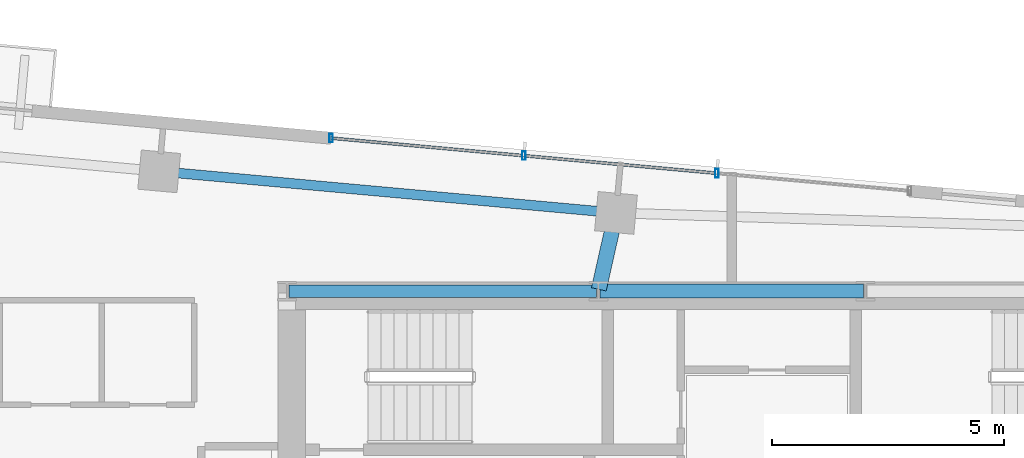
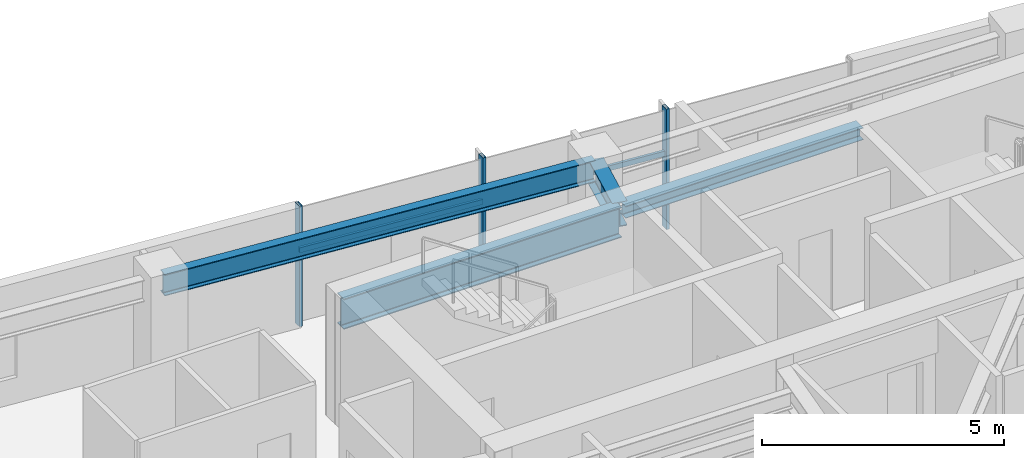
# One storey, part 10 of 22: 5 members, 4 beams, 1 element without a shape of its own.
"""IFC4 building model written with IfcOpenShell, lengths in metres."""

from ifc_helpers import new_model, si_unit, direction, frame, origin, origin_2d, place, context, subcontext, project, spatial, hollow_rectangle, i_section, extrude, source, transform, mapped, material, material_profile, profile_set, type_object, type_shapes, element, aggregate, save


model = new_model("IFC4")

# Units and contexts
model_context = context("Model", 3, precision=1e-05, world=origin(), true_north=direction((0.0, 1.0)))
body_context = subcontext(model_context, "Body", "Model", "MODEL_VIEW")
ifc_project = project(units=[si_unit("LENGTHUNIT", "METRE"), si_unit("AREAUNIT", "SQUARE_METRE"), si_unit("VOLUMEUNIT", "CUBIC_METRE"), si_unit("PLANEANGLEUNIT", "RADIAN"), si_unit("MASSUNIT", "GRAM", prefix="KILO")], contexts=[model_context])

# Site, building, storey
site_placement = place(None, origin())
site = spatial("IfcSite", under=ifc_project, at=site_placement, CompositionType="ELEMENT")
building_placement = place(site_placement, origin())
building = spatial("IfcBuilding", under=site, at=building_placement, Name="Astriad Promenade Condominiums", CompositionType="ELEMENT")
storey_placement = place(building_placement, frame((0.0, 0.0, 252.89990234375)))
storey = spatial("IfcBuildingStorey", under=building, at=storey_placement, Name="L73", CompositionType="ELEMENT", Elevation=252.89990234375)

# Beams
ifc_material_1 = material(Name="Steel ASTM A992 Grade 50", Category="steel")
ifc_material_profile_1 = material_profile(ifc_material_1, i_section(OverallWidth=0.267822265625, OverallDepth=0.76953125, WebThickness=0.015625, FlangeThickness=0.025390625, FilletRadius=0.021484375, at=origin_2d()), Name="W30X132")
ifc_profile_set_1 = profile_set([ifc_material_profile_1], Name="Steel ASTM A992 Grade 50")
beam_type_1 = type_object("IfcBeamType", Name="STEEL FLOOR GIRDER W30X132", PredefinedType="BEAM", material=ifc_profile_set_1)
shared_shape_1 = source(origin(), body_context, "Body", "SweptSolid", [
    extrude(i_section(OverallWidth=0.267822265625, OverallDepth=0.76953125, WebThickness=0.015625, FlangeThickness=0.025390625, FilletRadius=0.021484375, at=origin_2d()), origin(), (0.0, 0.0, 1.0), 6.64013671875),
])
type_shapes(beam_type_1, [shared_shape_1])
beam_1_placement = place(storey_placement, frame((26.43994140625, 24.0, 2.6552734375), z_axis=(1.0, 0.0, 0.0), x_axis=(0.0, 1.0, 0.0)))
element("IfcBeam", 1, at=beam_1_placement, inside=storey, type_object=beam_type_1, Name="Core Ring Beam CG-N1-L73", PredefinedType="BEAM", context=body_context, shape_type="MappedRepresentation", body=[
    mapped(shared_shape_1, transform((0.0, 0.0, 0.0), scale=1.0)),
])
ifc_material_profile_2 = material_profile(ifc_material_1, i_section(OverallWidth=0.3046875, OverallDepth=0.307861328125, WebThickness=0.010009765625, FlangeThickness=0.015380859375, FilletRadius=0.01513671875, at=origin_2d()), Name="W12X65")
ifc_profile_set_2 = profile_set([ifc_material_profile_2], Name="Steel ASTM A992 Grade 50")
beam_type_2 = type_object("IfcBeamType", Name="STEEL OPENING LINTEL W12X65", PredefinedType="LINTEL", material=ifc_profile_set_2)
shared_shape_2 = source(origin(), body_context, "Body", "SweptSolid", [
    extrude(i_section(OverallWidth=0.3046875, OverallDepth=0.307861328125, WebThickness=0.010009765625, FlangeThickness=0.015380859375, FilletRadius=0.01513671875, at=origin_2d()), origin(), (0.0, 0.0, 1.0), 5.68017578125),
])
type_shapes(beam_type_2, [shared_shape_2])
beam_2_placement = place(storey_placement, frame((33.159912109375, 24.0, 2.88623046875), z_axis=(1.0, 0.0, 0.0), x_axis=(0.0, 1.0, 0.0)))
element("IfcBeam", 2, at=beam_2_placement, inside=storey, type_object=beam_type_2, Name="Core Ring Beam CG-N2-L73", PredefinedType="LINTEL", context=body_context, shape_type="MappedRepresentation", body=[
    mapped(shared_shape_2, transform((0.0, 0.0, 0.0), scale=1.0)),
])
ifc_material_profile_3 = material_profile(ifc_material_1, i_section(OverallWidth=0.210693359375, OverallDepth=0.53955078125, WebThickness=0.01171875, FlangeThickness=0.018798828125, FilletRadius=0.0166015625, at=origin_2d()), Name="W21X73")
ifc_profile_set_3 = profile_set([ifc_material_profile_3], Name="Steel ASTM A992 Grade 50")
beam_type_3 = type_object("IfcBeamType", Name="STEEL SPANDREL BEAM W21X73", PredefinedType="SPANDREL", material=ifc_profile_set_3)
shared_shape_3 = source(origin(), body_context, "Body", "SweptSolid", [
    extrude(i_section(OverallWidth=0.210693359375, OverallDepth=0.53955078125, WebThickness=0.01171875, FlangeThickness=0.018798828125, FilletRadius=0.0166015625, at=origin_2d()), origin(), (0.0, 0.0, 1.0), 9.820068359375),
])
type_shapes(beam_type_3, [shared_shape_3])
beam_3_placement = place(storey_placement, frame((33.4599609375, 25.69189453125, 2.7705078125), z_axis=(-0.995885663174, 0.090618683965, 0.0), x_axis=(-0.090618683965, -0.995885663174, 0.0)))
element("IfcBeam", 3, at=beam_3_placement, inside=storey, type_object=beam_type_3, Name="Perimeter Spandrel Beam SP-N2-L73", PredefinedType="SPANDREL", context=body_context, shape_type="MappedRepresentation", body=[
    mapped(shared_shape_3, transform((0.0, 0.0, 0.0), scale=1.0)),
])
ifc_material_profile_4 = material_profile(ifc_material_1, i_section(OverallWidth=0.326416015625, OverallDepth=0.621826171875, WebThickness=0.015380859375, FlangeThickness=0.0244140625, FilletRadius=0.017822265625, at=origin_2d()), Name="W24X131")
ifc_profile_set_4 = profile_set([ifc_material_profile_4], Name="Steel ASTM A992 Grade 50")
beam_type_4 = type_object("IfcBeamType", Name="STEEL FLOOR GIRDER W24X131", PredefinedType="BEAM", material=ifc_profile_set_4)
shared_shape_4 = source(origin(), body_context, "Body", "SweptSolid", [
    extrude(i_section(OverallWidth=0.326416015625, OverallDepth=0.621826171875, WebThickness=0.015380859375, FlangeThickness=0.0244140625, FilletRadius=0.017822265625, at=origin_2d()), origin(), (0.0, 0.0, 1.0), 1.650390625),
])
type_shapes(beam_type_4, [shared_shape_4])
beam_4_placement = place(storey_placement, frame((33.490966796875, 25.649169921875, 2.729248046875), z_axis=(-0.219388986766, -0.975637469804, 0.0), x_axis=(0.975637469804, -0.219388986766, 0.0)))
element("IfcBeam", 4, at=beam_4_placement, inside=storey, type_object=beam_type_4, Name="Primary Floor Girder PG-NC-L73", PredefinedType="BEAM", context=body_context, shape_type="MappedRepresentation", body=[
    mapped(shared_shape_4, transform((0.0, 0.0, 0.0), scale=1.0)),
])

# Curtain wall, members
ifc_material_2 = material(Name="Anodised aluminium Black Dark Glass Unitised", Category="aluminium")
curtain_wall_type = type_object("IfcCurtainWallType", Name="CW-B5-DARK", PredefinedType="USERDEFINED", material=ifc_material_2)
curtain_wall_placement = place(storey_placement, origin())
curtain_wall = element("IfcCurtainWall", 5, at=curtain_wall_placement, inside=storey, type_object=curtain_wall_type, Name="CW-L73-N", ObjectType="UNITISED_CURTAIN_WALL", PredefinedType="USERDEFINED")
ifc_material_3 = material(Name="Anodised aluminium 6063-T6 Black", Category="aluminium")
ifc_material_profile_5 = material_profile(ifc_material_3, hollow_rectangle(XDim=0.06494140625, YDim=0.1298828125, WallThickness=0.00390625, at=origin_2d()), Name="ALU-TRN-65X130")
ifc_profile_set_5 = profile_set([ifc_material_profile_5], Name="Anodised aluminium 6063-T6 Black")
member_type_1 = type_object("IfcMemberType", Name="TRN-ALU-TRN-65X130", PredefinedType="USERDEFINED", material=ifc_profile_set_5)
shared_shape_5 = source(origin(), body_context, "Body", "SweptSolid", [
    extrude(hollow_rectangle(XDim=0.06494140625, YDim=0.1298828125, WallThickness=0.00390625, at=origin_2d()), origin(), (0.0, 0.0, 1.0), 4.179931640625),
])
type_shapes(member_type_1, [shared_shape_5])
member_1_placement = place(storey_placement, frame((27.3505859375, 27.30224609375, 1.885009765625), z_axis=(0.995883146811, -0.090646334165, 0.0), x_axis=(0.090646334165, 0.995883146811, 0.0)))
member_1 = element("IfcMember", 6, at=member_1_placement, type_object=member_type_1, Name="CW-L73-N-TRN-00-0", ObjectType="TRANSOM", PredefinedType="USERDEFINED", context=body_context, shape_type="MappedRepresentation", body=[
    mapped(shared_shape_5, transform((0.0, 0.0, 0.0), scale=1.0)),
])
member_2_placement = place(storey_placement, frame((31.513427734375, 26.92333984375, 1.885009765625), z_axis=(0.995883146811, -0.090646334165, 0.0), x_axis=(0.090646334165, 0.995883146811, 0.0)))
member_2 = element("IfcMember", 7, at=member_2_placement, type_object=member_type_1, Name="CW-L73-N-TRN-01-0", ObjectType="TRANSOM", PredefinedType="USERDEFINED", context=body_context, shape_type="MappedRepresentation", body=[
    mapped(shared_shape_5, transform((0.0, 0.0, 0.0), scale=1.0)),
])
ifc_material_profile_6 = material_profile(ifc_material_3, hollow_rectangle(XDim=0.074951171875, YDim=0.18505859375, WallThickness=0.00439453125, at=origin_2d()), Name="ALU-MUL-75X185")
ifc_profile_set_6 = profile_set([ifc_material_profile_6], Name="Anodised aluminium 6063-T6 Black")
member_type_2 = type_object("IfcMemberType", Name="MUL-ALU-MUL-75X185", PredefinedType="MULLION", material=ifc_profile_set_6)
shared_shape_6 = source(origin(), body_context, "Body", "SweptSolid", [
    extrude(hollow_rectangle(XDim=0.074951171875, YDim=0.18505859375, WallThickness=0.00439453125, at=origin_2d()), origin(), (0.0, 0.0, 1.0), 3.0400390625),
])
type_shapes(member_type_2, [shared_shape_6])
member_3_placement = place(storey_placement, frame((27.3505859375, 27.30224609375, 0.0), z_axis=(0.0, 0.0, 1.0), x_axis=(1.0, 0.0, 0.0)))
member_3 = element("IfcMember", 8, at=member_3_placement, type_object=member_type_2, Name="CW-L73-N-MUL-00", PredefinedType="MULLION", context=body_context, shape_type="MappedRepresentation", body=[
    mapped(shared_shape_6, transform((0.0, 0.0, 0.0), scale=1.0)),
])
member_4_placement = place(storey_placement, frame((31.513427734375, 26.92333984375, 0.0), z_axis=(0.0, 0.0, 1.0), x_axis=(1.0, 0.0, 0.0)))
member_4 = element("IfcMember", 9, at=member_4_placement, type_object=member_type_2, Name="CW-L73-N-MUL-01", PredefinedType="MULLION", context=body_context, shape_type="MappedRepresentation", body=[
    mapped(shared_shape_6, transform((0.0, 0.0, 0.0), scale=1.0)),
])
member_5_placement = place(storey_placement, frame((35.67626953125, 26.54443359375, 0.0), z_axis=(0.0, 0.0, 1.0), x_axis=(1.0, 0.0, 0.0)))
member_5 = element("IfcMember", 10, at=member_5_placement, type_object=member_type_2, Name="CW-L73-N-MUL-02", PredefinedType="MULLION", context=body_context, shape_type="MappedRepresentation", body=[
    mapped(shared_shape_6, transform((0.0, 0.0, 0.0), scale=1.0)),
])
aggregate(curtain_wall, [member_3, member_4, member_5, member_1, member_2])

save(model, "model.ifc")
